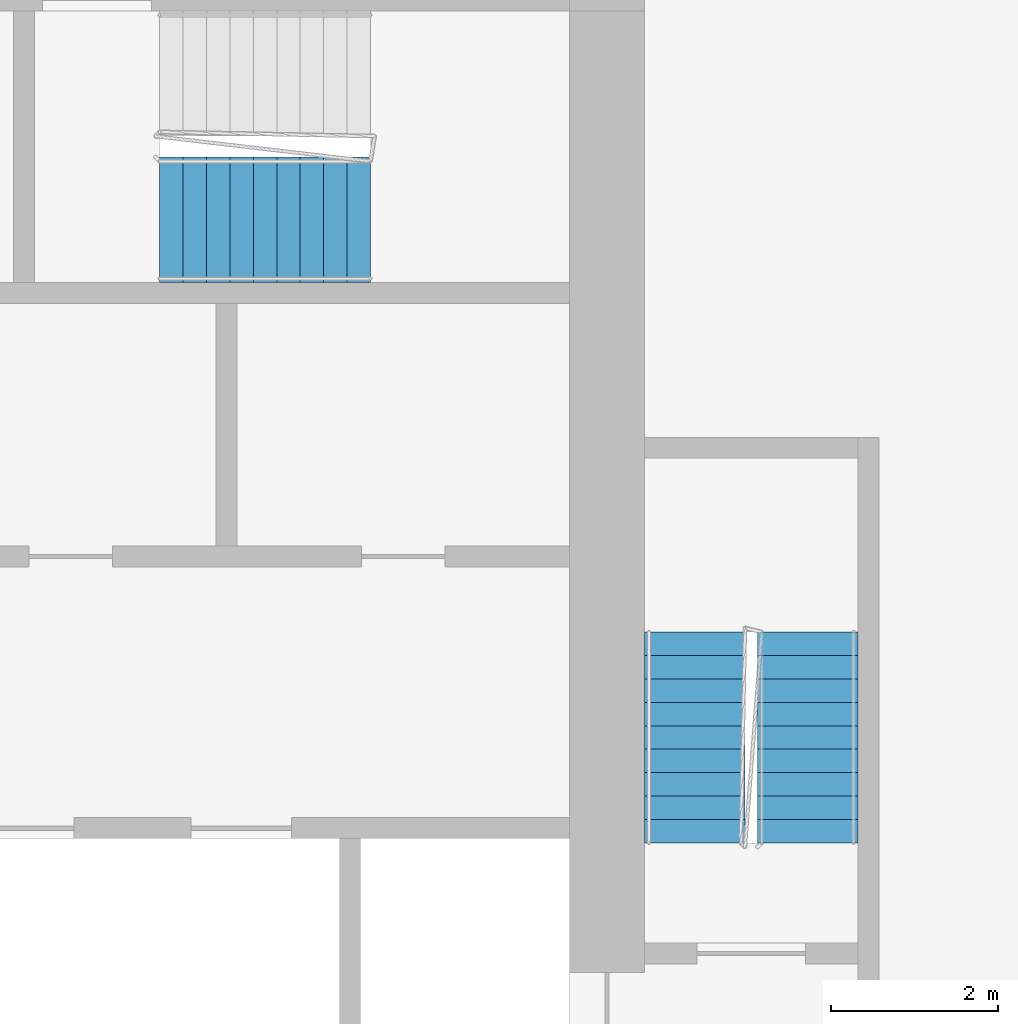
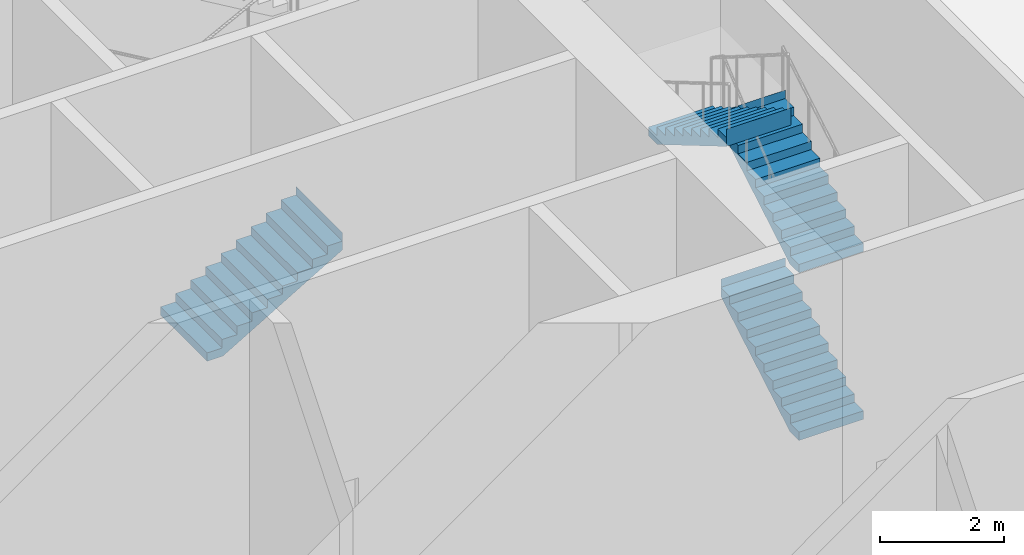
# One storey, part 20 of 24: 4 stair flights, 2 elements without a shape of their own.
"""IFC4 building model written with IfcOpenShell, lengths in metres."""

from ifc_helpers import new_model, si_unit, direction, frame, origin, place, context, subcontext, project, spatial, faceted_brep, material, type_object, element, aggregate, save


model = new_model("IFC4")

# Units and contexts
model_context = context("Model", 3, precision=1e-05, world=origin(), true_north=direction((0.0, 1.0)))
body_context = subcontext(model_context, "Body", "Model", "MODEL_VIEW")
ifc_project = project(units=[si_unit("LENGTHUNIT", "METRE"), si_unit("AREAUNIT", "SQUARE_METRE"), si_unit("VOLUMEUNIT", "CUBIC_METRE"), si_unit("PLANEANGLEUNIT", "RADIAN"), si_unit("MASSUNIT", "GRAM", prefix="KILO")], contexts=[model_context])

# Site, building, storey
site_placement = place(None, origin())
site = spatial("IfcSite", under=ifc_project, at=site_placement, CompositionType="ELEMENT")
building_placement = place(site_placement, origin())
building = spatial("IfcBuilding", under=site, at=building_placement, Name="Kajstack Hotel Tower", CompositionType="ELEMENT")
storey_placement = place(building_placement, frame((0.0, 0.0, 211.10009765625)))
storey = spatial("IfcBuildingStorey", under=building, at=storey_placement, Name="L51", CompositionType="ELEMENT", Elevation=211.10009765625)

# Stair, stair flights
ifc_material = material(Name="Concrete C40/50", Category="concrete")
stair_type_1 = type_object("IfcStairType", Name="Exit stair 1200", PredefinedType="HALF_TURN_STAIR", material=ifc_material)
stair_1_placement = place(storey_placement, origin())
stair_1 = element("IfcStair", 1, at=stair_1_placement, inside=storey, type_object=stair_type_1, Name="L51 stair E1", PredefinedType="HALF_TURN_STAIR")
stair_flight_type_1 = type_object("IfcStairFlightType", Name="Exit stair flight 1200", PredefinedType="STRAIGHT", material=ifc_material)
stair_flight_1_placement = place(storey_placement, frame((33.449951171875, 5.25, 0.0), z_axis=(0.0, 0.0, 1.0), x_axis=(0.0, 1.0, 0.0)))
stair_flight_1 = element("IfcStairFlight", 2, at=stair_flight_1_placement, type_object=stair_flight_type_1, Name="E1 flight 1", NumberOfRisers=10, NumberOfTreads=9, PredefinedType="STRAIGHT", RiserHeight=0.165, TreadLength=0.28, context=body_context, shape_type="Brep", body=[
    faceted_brep([(0.295654296875, -0.60009765625, 0.0), (2.5205078125, -0.60009765625, 1.31103515625), (2.5205078125, -0.60009765625, 1.64990234375), (2.52001953125, -0.60009765625, 1.64990234375), (2.52001953125, -0.60009765625, 1.485107421875), (2.239990234375, -0.60009765625, 1.485107421875), (2.239990234375, -0.60009765625, 1.320068359375), (1.9599609375, -0.60009765625, 1.320068359375), (1.9599609375, -0.60009765625, 1.155029296875), (1.679931640625, -0.60009765625, 1.155029296875), (1.679931640625, -0.60009765625, 0.989990234375), (1.39990234375, -0.60009765625, 0.989990234375), (1.39990234375, -0.60009765625, 0.824951171875), (1.1201171875, -0.60009765625, 0.824951171875), (1.1201171875, -0.60009765625, 0.659912109375), (0.840087890625, -0.60009765625, 0.659912109375), (0.840087890625, -0.60009765625, 0.4951171875), (0.56005859375, -0.60009765625, 0.4951171875), (0.56005859375, -0.60009765625, 0.330078125), (0.280029296875, -0.60009765625, 0.330078125), (0.280029296875, -0.60009765625, 0.1650390625), (-0.00048828125, -0.60009765625, 0.1650390625), (-0.00048828125, -0.60009765625, 0.0), (-0.00048828125, 0.60009765625, 0.0), (-0.00048828125, 0.60009765625, 0.1650390625), (0.280029296875, 0.60009765625, 0.1650390625), (0.280029296875, 0.60009765625, 0.330078125), (0.56005859375, 0.60009765625, 0.330078125), (0.56005859375, 0.60009765625, 0.4951171875), (0.840087890625, 0.60009765625, 0.4951171875), (0.840087890625, 0.60009765625, 0.659912109375), (1.1201171875, 0.60009765625, 0.659912109375), (1.1201171875, 0.60009765625, 0.824951171875), (1.39990234375, 0.60009765625, 0.824951171875), (1.39990234375, 0.60009765625, 0.989990234375), (1.679931640625, 0.60009765625, 0.989990234375), (1.679931640625, 0.60009765625, 1.155029296875), (1.9599609375, 0.60009765625, 1.155029296875), (1.9599609375, 0.60009765625, 1.320068359375), (2.239990234375, 0.60009765625, 1.320068359375), (2.239990234375, 0.60009765625, 1.485107421875), (2.52001953125, 0.60009765625, 1.485107421875), (2.52001953125, 0.60009765625, 1.64990234375), (2.5205078125, 0.60009765625, 1.64990234375), (2.5205078125, 0.60009765625, 1.31103515625), (0.295654296875, 0.60009765625, 0.0), (-0.00048828125, -0.300048828125, 0.1650390625), (-0.00048828125, 0.0, 0.1650390625), (-0.00048828125, 0.300048828125, 0.1650390625), (-0.00048828125, 0.300048828125, 0.0), (-0.00048828125, 0.0, 0.0), (-0.00048828125, -0.300048828125, 0.0), (0.280029296875, -0.300048828125, 0.1650390625), (0.280029296875, 0.0, 0.1650390625), (0.280029296875, 0.300048828125, 0.1650390625), (0.280029296875, -0.300048828125, 0.330078125), (0.280029296875, 0.0, 0.330078125), (0.280029296875, 0.300048828125, 0.330078125), (0.56005859375, -0.300048828125, 0.330078125), (0.56005859375, 0.0, 0.330078125), (0.56005859375, 0.300048828125, 0.330078125), (0.56005859375, -0.300048828125, 0.4951171875), (0.56005859375, 0.0, 0.4951171875), (0.56005859375, 0.300048828125, 0.4951171875), (0.840087890625, -0.300048828125, 0.4951171875), (0.840087890625, 0.0, 0.4951171875), (0.840087890625, 0.300048828125, 0.4951171875), (0.840087890625, -0.300048828125, 0.659912109375), (0.840087890625, 0.0, 0.659912109375), (0.840087890625, 0.300048828125, 0.659912109375), (1.1201171875, -0.300048828125, 0.659912109375), (1.1201171875, 0.0, 0.659912109375), (1.1201171875, 0.300048828125, 0.659912109375), (1.1201171875, -0.300048828125, 0.824951171875), (1.1201171875, 0.0, 0.824951171875), (1.1201171875, 0.300048828125, 0.824951171875), (1.39990234375, -0.300048828125, 0.824951171875), (1.39990234375, 0.0, 0.824951171875), (1.39990234375, 0.300048828125, 0.824951171875), (1.39990234375, -0.300048828125, 0.989990234375), (1.39990234375, 0.0, 0.989990234375), (1.39990234375, 0.300048828125, 0.989990234375), (1.679931640625, -0.300048828125, 0.989990234375), (1.679931640625, 0.0, 0.989990234375), (1.679931640625, 0.300048828125, 0.989990234375), (1.679931640625, -0.300048828125, 1.155029296875), (1.679931640625, 0.0, 1.155029296875), (1.679931640625, 0.300048828125, 1.155029296875), (1.9599609375, -0.300048828125, 1.155029296875), (1.9599609375, 0.0, 1.155029296875), (1.9599609375, 0.300048828125, 1.155029296875), (1.9599609375, -0.300048828125, 1.320068359375), (1.9599609375, 0.0, 1.320068359375), (1.9599609375, 0.300048828125, 1.320068359375), (2.239990234375, -0.300048828125, 1.320068359375), (2.239990234375, 0.0, 1.320068359375), (2.239990234375, 0.300048828125, 1.320068359375), (2.239990234375, -0.300048828125, 1.485107421875), (2.239990234375, 0.0, 1.485107421875), (2.239990234375, 0.300048828125, 1.485107421875), (2.52001953125, -0.300048828125, 1.485107421875), (2.52001953125, 0.0, 1.485107421875), (2.52001953125, 0.300048828125, 1.485107421875), (2.52001953125, -0.300048828125, 1.64990234375), (2.52001953125, 0.0, 1.64990234375), (2.52001953125, 0.300048828125, 1.64990234375), (2.5205078125, -0.300048828125, 1.64990234375), (2.5205078125, 0.0, 1.64990234375), (2.5205078125, 0.300048828125, 1.64990234375), (2.5205078125, -0.300048828125, 1.31103515625), (2.5205078125, 0.0, 1.31103515625), (2.5205078125, 0.300048828125, 1.31103515625), (0.295654296875, -0.300048828125, 0.0), (0.295654296875, 0.0, 0.0), (0.295654296875, 0.300048828125, 0.0)], [[[0, 1, 2, 3, 4, 5, 6, 7, 8, 9, 10, 11, 12, 13, 14, 15, 16, 17, 18, 19, 20, 21, 22]], [[23, 24, 25, 26, 27, 28, 29, 30, 31, 32, 33, 34, 35, 36, 37, 38, 39, 40, 41, 42, 43, 44, 45]], [[21, 46, 47, 48, 24, 23, 49, 50, 51, 22]], [[20, 52, 53, 54, 25, 24, 48, 47, 46, 21]], [[19, 55, 56, 57, 26, 25, 54, 53, 52, 20]], [[18, 58, 59, 60, 27, 26, 57, 56, 55, 19]], [[17, 61, 62, 63, 28, 27, 60, 59, 58, 18]], [[16, 64, 65, 66, 29, 28, 63, 62, 61, 17]], [[15, 67, 68, 69, 30, 29, 66, 65, 64, 16]], [[14, 70, 71, 72, 31, 30, 69, 68, 67, 15]], [[13, 73, 74, 75, 32, 31, 72, 71, 70, 14]], [[12, 76, 77, 78, 33, 32, 75, 74, 73, 13]], [[11, 79, 80, 81, 34, 33, 78, 77, 76, 12]], [[10, 82, 83, 84, 35, 34, 81, 80, 79, 11]], [[9, 85, 86, 87, 36, 35, 84, 83, 82, 10]], [[8, 88, 89, 90, 37, 36, 87, 86, 85, 9]], [[7, 91, 92, 93, 38, 37, 90, 89, 88, 8]], [[6, 94, 95, 96, 39, 38, 93, 92, 91, 7]], [[5, 97, 98, 99, 40, 39, 96, 95, 94, 6]], [[4, 100, 101, 102, 41, 40, 99, 98, 97, 5]], [[3, 103, 104, 105, 42, 41, 102, 101, 100, 4]], [[2, 106, 107, 108, 43, 42, 105, 104, 103, 3]], [[1, 109, 110, 111, 44, 43, 108, 107, 106, 2]], [[0, 112, 113, 114, 45, 44, 111, 110, 109, 1]], [[22, 51, 50, 49, 23, 45, 114, 113, 112, 0]]]),
])
stair_flight_2_placement = place(storey_placement, frame((33.449951171875, 5.25, 3.2998046875), z_axis=(0.0, 0.0, 1.0), x_axis=(0.0, 1.0, 0.0)))
stair_flight_2 = element("IfcStairFlight", 3, at=stair_flight_2_placement, type_object=stair_flight_type_1, Name="E1 flight 3", NumberOfRisers=10, NumberOfTreads=9, PredefinedType="STRAIGHT", RiserHeight=0.165, TreadLength=0.28, context=body_context, shape_type="Brep", body=[
    faceted_brep([(0.295654296875, -0.60009765625, 0.0), (2.5205078125, -0.60009765625, 1.31103515625), (2.5205078125, -0.60009765625, 1.64990234375), (2.52001953125, -0.60009765625, 1.64990234375), (2.52001953125, -0.60009765625, 1.485107421875), (2.239990234375, -0.60009765625, 1.485107421875), (2.239990234375, -0.60009765625, 1.320068359375), (1.9599609375, -0.60009765625, 1.320068359375), (1.9599609375, -0.60009765625, 1.155029296875), (1.679931640625, -0.60009765625, 1.155029296875), (1.679931640625, -0.60009765625, 0.989990234375), (1.39990234375, -0.60009765625, 0.989990234375), (1.39990234375, -0.60009765625, 0.824951171875), (1.1201171875, -0.60009765625, 0.824951171875), (1.1201171875, -0.60009765625, 0.659912109375), (0.840087890625, -0.60009765625, 0.659912109375), (0.840087890625, -0.60009765625, 0.4951171875), (0.56005859375, -0.60009765625, 0.4951171875), (0.56005859375, -0.60009765625, 0.330078125), (0.280029296875, -0.60009765625, 0.330078125), (0.280029296875, -0.60009765625, 0.1650390625), (-0.00048828125, -0.60009765625, 0.1650390625), (-0.00048828125, -0.60009765625, 0.0), (-0.00048828125, 0.60009765625, 0.0), (-0.00048828125, 0.60009765625, 0.1650390625), (0.280029296875, 0.60009765625, 0.1650390625), (0.280029296875, 0.60009765625, 0.330078125), (0.56005859375, 0.60009765625, 0.330078125), (0.56005859375, 0.60009765625, 0.4951171875), (0.840087890625, 0.60009765625, 0.4951171875), (0.840087890625, 0.60009765625, 0.659912109375), (1.1201171875, 0.60009765625, 0.659912109375), (1.1201171875, 0.60009765625, 0.824951171875), (1.39990234375, 0.60009765625, 0.824951171875), (1.39990234375, 0.60009765625, 0.989990234375), (1.679931640625, 0.60009765625, 0.989990234375), (1.679931640625, 0.60009765625, 1.155029296875), (1.9599609375, 0.60009765625, 1.155029296875), (1.9599609375, 0.60009765625, 1.320068359375), (2.239990234375, 0.60009765625, 1.320068359375), (2.239990234375, 0.60009765625, 1.485107421875), (2.52001953125, 0.60009765625, 1.485107421875), (2.52001953125, 0.60009765625, 1.64990234375), (2.5205078125, 0.60009765625, 1.64990234375), (2.5205078125, 0.60009765625, 1.31103515625), (0.295654296875, 0.60009765625, 0.0), (-0.00048828125, -0.300048828125, 0.1650390625), (-0.00048828125, 0.0, 0.1650390625), (-0.00048828125, 0.300048828125, 0.1650390625), (-0.00048828125, 0.300048828125, 0.0), (-0.00048828125, 0.0, 0.0), (-0.00048828125, -0.300048828125, 0.0), (0.280029296875, -0.300048828125, 0.1650390625), (0.280029296875, 0.0, 0.1650390625), (0.280029296875, 0.300048828125, 0.1650390625), (0.280029296875, -0.300048828125, 0.330078125), (0.280029296875, 0.0, 0.330078125), (0.280029296875, 0.300048828125, 0.330078125), (0.56005859375, -0.300048828125, 0.330078125), (0.56005859375, 0.0, 0.330078125), (0.56005859375, 0.300048828125, 0.330078125), (0.56005859375, -0.300048828125, 0.4951171875), (0.56005859375, 0.0, 0.4951171875), (0.56005859375, 0.300048828125, 0.4951171875), (0.840087890625, -0.300048828125, 0.4951171875), (0.840087890625, 0.0, 0.4951171875), (0.840087890625, 0.300048828125, 0.4951171875), (0.840087890625, -0.300048828125, 0.659912109375), (0.840087890625, 0.0, 0.659912109375), (0.840087890625, 0.300048828125, 0.659912109375), (1.1201171875, -0.300048828125, 0.659912109375), (1.1201171875, 0.0, 0.659912109375), (1.1201171875, 0.300048828125, 0.659912109375), (1.1201171875, -0.300048828125, 0.824951171875), (1.1201171875, 0.0, 0.824951171875), (1.1201171875, 0.300048828125, 0.824951171875), (1.39990234375, -0.300048828125, 0.824951171875), (1.39990234375, 0.0, 0.824951171875), (1.39990234375, 0.300048828125, 0.824951171875), (1.39990234375, -0.300048828125, 0.989990234375), (1.39990234375, 0.0, 0.989990234375), (1.39990234375, 0.300048828125, 0.989990234375), (1.679931640625, -0.300048828125, 0.989990234375), (1.679931640625, 0.0, 0.989990234375), (1.679931640625, 0.300048828125, 0.989990234375), (1.679931640625, -0.300048828125, 1.155029296875), (1.679931640625, 0.0, 1.155029296875), (1.679931640625, 0.300048828125, 1.155029296875), (1.9599609375, -0.300048828125, 1.155029296875), (1.9599609375, 0.0, 1.155029296875), (1.9599609375, 0.300048828125, 1.155029296875), (1.9599609375, -0.300048828125, 1.320068359375), (1.9599609375, 0.0, 1.320068359375), (1.9599609375, 0.300048828125, 1.320068359375), (2.239990234375, -0.300048828125, 1.320068359375), (2.239990234375, 0.0, 1.320068359375), (2.239990234375, 0.300048828125, 1.320068359375), (2.239990234375, -0.300048828125, 1.485107421875), (2.239990234375, 0.0, 1.485107421875), (2.239990234375, 0.300048828125, 1.485107421875), (2.52001953125, -0.300048828125, 1.485107421875), (2.52001953125, 0.0, 1.485107421875), (2.52001953125, 0.300048828125, 1.485107421875), (2.52001953125, -0.300048828125, 1.64990234375), (2.52001953125, 0.0, 1.64990234375), (2.52001953125, 0.300048828125, 1.64990234375), (2.5205078125, -0.300048828125, 1.64990234375), (2.5205078125, 0.0, 1.64990234375), (2.5205078125, 0.300048828125, 1.64990234375), (2.5205078125, -0.300048828125, 1.31103515625), (2.5205078125, 0.0, 1.31103515625), (2.5205078125, 0.300048828125, 1.31103515625), (0.295654296875, -0.300048828125, 0.0), (0.295654296875, 0.0, 0.0), (0.295654296875, 0.300048828125, 0.0)], [[[0, 1, 2, 3, 4, 5, 6, 7, 8, 9, 10, 11, 12, 13, 14, 15, 16, 17, 18, 19, 20, 21, 22]], [[23, 24, 25, 26, 27, 28, 29, 30, 31, 32, 33, 34, 35, 36, 37, 38, 39, 40, 41, 42, 43, 44, 45]], [[21, 46, 47, 48, 24, 23, 49, 50, 51, 22]], [[20, 52, 53, 54, 25, 24, 48, 47, 46, 21]], [[19, 55, 56, 57, 26, 25, 54, 53, 52, 20]], [[18, 58, 59, 60, 27, 26, 57, 56, 55, 19]], [[17, 61, 62, 63, 28, 27, 60, 59, 58, 18]], [[16, 64, 65, 66, 29, 28, 63, 62, 61, 17]], [[15, 67, 68, 69, 30, 29, 66, 65, 64, 16]], [[14, 70, 71, 72, 31, 30, 69, 68, 67, 15]], [[13, 73, 74, 75, 32, 31, 72, 71, 70, 14]], [[12, 76, 77, 78, 33, 32, 75, 74, 73, 13]], [[11, 79, 80, 81, 34, 33, 78, 77, 76, 12]], [[10, 82, 83, 84, 35, 34, 81, 80, 79, 11]], [[9, 85, 86, 87, 36, 35, 84, 83, 82, 10]], [[8, 88, 89, 90, 37, 36, 87, 86, 85, 9]], [[7, 91, 92, 93, 38, 37, 90, 89, 88, 8]], [[6, 94, 95, 96, 39, 38, 93, 92, 91, 7]], [[5, 97, 98, 99, 40, 39, 96, 95, 94, 6]], [[4, 100, 101, 102, 41, 40, 99, 98, 97, 5]], [[3, 103, 104, 105, 42, 41, 102, 101, 100, 4]], [[2, 106, 107, 108, 43, 42, 105, 104, 103, 3]], [[1, 109, 110, 111, 44, 43, 108, 107, 106, 2]], [[0, 112, 113, 114, 45, 44, 111, 110, 109, 1]], [[22, 51, 50, 49, 23, 45, 114, 113, 112, 0]]]),
])
stair_flight_3_placement = place(storey_placement, frame((32.10009765625, 7.77001953125, 4.949951171875), z_axis=(0.0, 0.0, 1.0), x_axis=(0.0, -1.0, 0.0)))
stair_flight_3 = element("IfcStairFlight", 4, at=stair_flight_3_placement, type_object=stair_flight_type_1, Name="E1 flight 4", NumberOfRisers=10, NumberOfTreads=9, PredefinedType="STRAIGHT", RiserHeight=0.165, TreadLength=0.28, context=body_context, shape_type="Brep", body=[
    faceted_brep([(0.295654296875, -0.60009765625, 0.0), (2.5205078125, -0.60009765625, 1.31103515625), (2.5205078125, -0.60009765625, 1.64990234375), (2.52001953125, -0.60009765625, 1.64990234375), (2.52001953125, -0.60009765625, 1.485107421875), (2.239990234375, -0.60009765625, 1.485107421875), (2.239990234375, -0.60009765625, 1.320068359375), (1.9599609375, -0.60009765625, 1.320068359375), (1.9599609375, -0.60009765625, 1.155029296875), (1.679931640625, -0.60009765625, 1.155029296875), (1.679931640625, -0.60009765625, 0.989990234375), (1.39990234375, -0.60009765625, 0.989990234375), (1.39990234375, -0.60009765625, 0.824951171875), (1.1201171875, -0.60009765625, 0.824951171875), (1.1201171875, -0.60009765625, 0.659912109375), (0.840087890625, -0.60009765625, 0.659912109375), (0.840087890625, -0.60009765625, 0.4951171875), (0.56005859375, -0.60009765625, 0.4951171875), (0.56005859375, -0.60009765625, 0.330078125), (0.280029296875, -0.60009765625, 0.330078125), (0.280029296875, -0.60009765625, 0.1650390625), (-0.00048828125, -0.60009765625, 0.1650390625), (-0.00048828125, -0.60009765625, 0.0), (-0.00048828125, 0.60009765625, 0.0), (-0.00048828125, 0.60009765625, 0.1650390625), (0.280029296875, 0.60009765625, 0.1650390625), (0.280029296875, 0.60009765625, 0.330078125), (0.56005859375, 0.60009765625, 0.330078125), (0.56005859375, 0.60009765625, 0.4951171875), (0.840087890625, 0.60009765625, 0.4951171875), (0.840087890625, 0.60009765625, 0.659912109375), (1.1201171875, 0.60009765625, 0.659912109375), (1.1201171875, 0.60009765625, 0.824951171875), (1.39990234375, 0.60009765625, 0.824951171875), (1.39990234375, 0.60009765625, 0.989990234375), (1.679931640625, 0.60009765625, 0.989990234375), (1.679931640625, 0.60009765625, 1.155029296875), (1.9599609375, 0.60009765625, 1.155029296875), (1.9599609375, 0.60009765625, 1.320068359375), (2.239990234375, 0.60009765625, 1.320068359375), (2.239990234375, 0.60009765625, 1.485107421875), (2.52001953125, 0.60009765625, 1.485107421875), (2.52001953125, 0.60009765625, 1.64990234375), (2.5205078125, 0.60009765625, 1.64990234375), (2.5205078125, 0.60009765625, 1.31103515625), (0.295654296875, 0.60009765625, 0.0), (-0.00048828125, -0.300048828125, 0.1650390625), (-0.00048828125, 0.0, 0.1650390625), (-0.00048828125, 0.300048828125, 0.1650390625), (-0.00048828125, 0.300048828125, 0.0), (-0.00048828125, 0.0, 0.0), (-0.00048828125, -0.300048828125, 0.0), (0.280029296875, -0.300048828125, 0.1650390625), (0.280029296875, 0.0, 0.1650390625), (0.280029296875, 0.300048828125, 0.1650390625), (0.280029296875, -0.300048828125, 0.330078125), (0.280029296875, 0.0, 0.330078125), (0.280029296875, 0.300048828125, 0.330078125), (0.56005859375, -0.300048828125, 0.330078125), (0.56005859375, 0.0, 0.330078125), (0.56005859375, 0.300048828125, 0.330078125), (0.56005859375, -0.300048828125, 0.4951171875), (0.56005859375, 0.0, 0.4951171875), (0.56005859375, 0.300048828125, 0.4951171875), (0.840087890625, -0.300048828125, 0.4951171875), (0.840087890625, 0.0, 0.4951171875), (0.840087890625, 0.300048828125, 0.4951171875), (0.840087890625, -0.300048828125, 0.659912109375), (0.840087890625, 0.0, 0.659912109375), (0.840087890625, 0.300048828125, 0.659912109375), (1.1201171875, -0.300048828125, 0.659912109375), (1.1201171875, 0.0, 0.659912109375), (1.1201171875, 0.300048828125, 0.659912109375), (1.1201171875, -0.300048828125, 0.824951171875), (1.1201171875, 0.0, 0.824951171875), (1.1201171875, 0.300048828125, 0.824951171875), (1.39990234375, -0.300048828125, 0.824951171875), (1.39990234375, 0.0, 0.824951171875), (1.39990234375, 0.300048828125, 0.824951171875), (1.39990234375, -0.300048828125, 0.989990234375), (1.39990234375, 0.0, 0.989990234375), (1.39990234375, 0.300048828125, 0.989990234375), (1.679931640625, -0.300048828125, 0.989990234375), (1.679931640625, 0.0, 0.989990234375), (1.679931640625, 0.300048828125, 0.989990234375), (1.679931640625, -0.300048828125, 1.155029296875), (1.679931640625, 0.0, 1.155029296875), (1.679931640625, 0.300048828125, 1.155029296875), (1.9599609375, -0.300048828125, 1.155029296875), (1.9599609375, 0.0, 1.155029296875), (1.9599609375, 0.300048828125, 1.155029296875), (1.9599609375, -0.300048828125, 1.320068359375), (1.9599609375, 0.0, 1.320068359375), (1.9599609375, 0.300048828125, 1.320068359375), (2.239990234375, -0.300048828125, 1.320068359375), (2.239990234375, 0.0, 1.320068359375), (2.239990234375, 0.300048828125, 1.320068359375), (2.239990234375, -0.300048828125, 1.485107421875), (2.239990234375, 0.0, 1.485107421875), (2.239990234375, 0.300048828125, 1.485107421875), (2.52001953125, -0.300048828125, 1.485107421875), (2.52001953125, 0.0, 1.485107421875), (2.52001953125, 0.300048828125, 1.485107421875), (2.52001953125, -0.300048828125, 1.64990234375), (2.52001953125, 0.0, 1.64990234375), (2.52001953125, 0.300048828125, 1.64990234375), (2.5205078125, -0.300048828125, 1.64990234375), (2.5205078125, 0.0, 1.64990234375), (2.5205078125, 0.300048828125, 1.64990234375), (2.5205078125, -0.300048828125, 1.31103515625), (2.5205078125, 0.0, 1.31103515625), (2.5205078125, 0.300048828125, 1.31103515625), (0.295654296875, -0.300048828125, 0.0), (0.295654296875, 0.0, 0.0), (0.295654296875, 0.300048828125, 0.0)], [[[0, 1, 2, 3, 4, 5, 6, 7, 8, 9, 10, 11, 12, 13, 14, 15, 16, 17, 18, 19, 20, 21, 22]], [[23, 24, 25, 26, 27, 28, 29, 30, 31, 32, 33, 34, 35, 36, 37, 38, 39, 40, 41, 42, 43, 44, 45]], [[21, 46, 47, 48, 24, 23, 49, 50, 51, 22]], [[20, 52, 53, 54, 25, 24, 48, 47, 46, 21]], [[19, 55, 56, 57, 26, 25, 54, 53, 52, 20]], [[18, 58, 59, 60, 27, 26, 57, 56, 55, 19]], [[17, 61, 62, 63, 28, 27, 60, 59, 58, 18]], [[16, 64, 65, 66, 29, 28, 63, 62, 61, 17]], [[15, 67, 68, 69, 30, 29, 66, 65, 64, 16]], [[14, 70, 71, 72, 31, 30, 69, 68, 67, 15]], [[13, 73, 74, 75, 32, 31, 72, 71, 70, 14]], [[12, 76, 77, 78, 33, 32, 75, 74, 73, 13]], [[11, 79, 80, 81, 34, 33, 78, 77, 76, 12]], [[10, 82, 83, 84, 35, 34, 81, 80, 79, 11]], [[9, 85, 86, 87, 36, 35, 84, 83, 82, 10]], [[8, 88, 89, 90, 37, 36, 87, 86, 85, 9]], [[7, 91, 92, 93, 38, 37, 90, 89, 88, 8]], [[6, 94, 95, 96, 39, 38, 93, 92, 91, 7]], [[5, 97, 98, 99, 40, 39, 96, 95, 94, 6]], [[4, 100, 101, 102, 41, 40, 99, 98, 97, 5]], [[3, 103, 104, 105, 42, 41, 102, 101, 100, 4]], [[2, 106, 107, 108, 43, 42, 105, 104, 103, 3]], [[1, 109, 110, 111, 44, 43, 108, 107, 106, 2]], [[0, 112, 113, 114, 45, 44, 111, 110, 109, 1]], [[22, 51, 50, 49, 23, 45, 114, 113, 112, 0]]]),
])
aggregate(stair_1, [stair_flight_1, stair_flight_2, stair_flight_3])

# Stair, stair flight
stair_type_2 = type_object("IfcStairType", Name="Exit stair 1500", PredefinedType="HALF_TURN_STAIR", material=ifc_material)
stair_2_placement = place(storey_placement, origin())
stair_2 = element("IfcStair", 5, at=stair_2_placement, inside=storey, type_object=stair_type_2, Name="L51 stair E3", PredefinedType="HALF_TURN_STAIR")
stair_flight_type_2 = type_object("IfcStairFlightType", Name="Exit stair flight 1500", PredefinedType="STRAIGHT", material=ifc_material)
stair_flight_4_placement = place(storey_placement, frame((25.699951171875, 12.699951171875, 0.0), z_axis=(0.0, 0.0, 1.0), x_axis=(1.0, 0.0, 0.0)))
stair_flight_4 = element("IfcStairFlight", 6, at=stair_flight_4_placement, type_object=stair_flight_type_2, Name="E3 flight 1", NumberOfRisers=10, NumberOfTreads=9, PredefinedType="STRAIGHT", RiserHeight=0.165, TreadLength=0.28, context=body_context, shape_type="Brep", body=[
    faceted_brep([(0.295654296875, -0.75, 0.0), (2.5205078125, -0.75, 1.31103515625), (2.5205078125, -0.75, 1.64990234375), (2.52001953125, -0.75, 1.64990234375), (2.52001953125, -0.75, 1.485107421875), (2.239990234375, -0.75, 1.485107421875), (2.239990234375, -0.75, 1.320068359375), (1.9599609375, -0.75, 1.320068359375), (1.9599609375, -0.75, 1.155029296875), (1.679931640625, -0.75, 1.155029296875), (1.679931640625, -0.75, 0.989990234375), (1.39990234375, -0.75, 0.989990234375), (1.39990234375, -0.75, 0.824951171875), (1.1201171875, -0.75, 0.824951171875), (1.1201171875, -0.75, 0.659912109375), (0.840087890625, -0.75, 0.659912109375), (0.840087890625, -0.75, 0.4951171875), (0.56005859375, -0.75, 0.4951171875), (0.56005859375, -0.75, 0.330078125), (0.280029296875, -0.75, 0.330078125), (0.280029296875, -0.75, 0.1650390625), (-0.00048828125, -0.75, 0.1650390625), (-0.00048828125, -0.75, 0.0), (-0.00048828125, 0.75, 0.0), (-0.00048828125, 0.75, 0.1650390625), (0.280029296875, 0.75, 0.1650390625), (0.280029296875, 0.75, 0.330078125), (0.56005859375, 0.75, 0.330078125), (0.56005859375, 0.75, 0.4951171875), (0.840087890625, 0.75, 0.4951171875), (0.840087890625, 0.75, 0.659912109375), (1.1201171875, 0.75, 0.659912109375), (1.1201171875, 0.75, 0.824951171875), (1.39990234375, 0.75, 0.824951171875), (1.39990234375, 0.75, 0.989990234375), (1.679931640625, 0.75, 0.989990234375), (1.679931640625, 0.75, 1.155029296875), (1.9599609375, 0.75, 1.155029296875), (1.9599609375, 0.75, 1.320068359375), (2.239990234375, 0.75, 1.320068359375), (2.239990234375, 0.75, 1.485107421875), (2.52001953125, 0.75, 1.485107421875), (2.52001953125, 0.75, 1.64990234375), (2.5205078125, 0.75, 1.64990234375), (2.5205078125, 0.75, 1.31103515625), (0.295654296875, 0.75, 0.0), (-0.00048828125, -0.375, 0.1650390625), (-0.00048828125, 0.0, 0.1650390625), (-0.00048828125, 0.375, 0.1650390625), (-0.00048828125, 0.375, 0.0), (-0.00048828125, 0.0, 0.0), (-0.00048828125, -0.375, 0.0), (0.280029296875, -0.375, 0.1650390625), (0.280029296875, 0.0, 0.1650390625), (0.280029296875, 0.375, 0.1650390625), (0.280029296875, -0.375, 0.330078125), (0.280029296875, 0.0, 0.330078125), (0.280029296875, 0.375, 0.330078125), (0.56005859375, -0.375, 0.330078125), (0.56005859375, 0.0, 0.330078125), (0.56005859375, 0.375, 0.330078125), (0.56005859375, -0.375, 0.4951171875), (0.56005859375, 0.0, 0.4951171875), (0.56005859375, 0.375, 0.4951171875), (0.840087890625, -0.375, 0.4951171875), (0.840087890625, 0.0, 0.4951171875), (0.840087890625, 0.375, 0.4951171875), (0.840087890625, -0.375, 0.659912109375), (0.840087890625, 0.0, 0.659912109375), (0.840087890625, 0.375, 0.659912109375), (1.1201171875, -0.375, 0.659912109375), (1.1201171875, 0.0, 0.659912109375), (1.1201171875, 0.375, 0.659912109375), (1.1201171875, -0.375, 0.824951171875), (1.1201171875, 0.0, 0.824951171875), (1.1201171875, 0.375, 0.824951171875), (1.39990234375, -0.375, 0.824951171875), (1.39990234375, 0.0, 0.824951171875), (1.39990234375, 0.375, 0.824951171875), (1.39990234375, -0.375, 0.989990234375), (1.39990234375, 0.0, 0.989990234375), (1.39990234375, 0.375, 0.989990234375), (1.679931640625, -0.375, 0.989990234375), (1.679931640625, 0.0, 0.989990234375), (1.679931640625, 0.375, 0.989990234375), (1.679931640625, -0.375, 1.155029296875), (1.679931640625, 0.0, 1.155029296875), (1.679931640625, 0.375, 1.155029296875), (1.9599609375, -0.375, 1.155029296875), (1.9599609375, 0.0, 1.155029296875), (1.9599609375, 0.375, 1.155029296875), (1.9599609375, -0.375, 1.320068359375), (1.9599609375, 0.0, 1.320068359375), (1.9599609375, 0.375, 1.320068359375), (2.239990234375, -0.375, 1.320068359375), (2.239990234375, 0.0, 1.320068359375), (2.239990234375, 0.375, 1.320068359375), (2.239990234375, -0.375, 1.485107421875), (2.239990234375, 0.0, 1.485107421875), (2.239990234375, 0.375, 1.485107421875), (2.52001953125, -0.375, 1.485107421875), (2.52001953125, 0.0, 1.485107421875), (2.52001953125, 0.375, 1.485107421875), (2.52001953125, -0.375, 1.64990234375), (2.52001953125, 0.0, 1.64990234375), (2.52001953125, 0.375, 1.64990234375), (2.5205078125, -0.375, 1.64990234375), (2.5205078125, 0.0, 1.64990234375), (2.5205078125, 0.375, 1.64990234375), (2.5205078125, -0.375, 1.31103515625), (2.5205078125, 0.0, 1.31103515625), (2.5205078125, 0.375, 1.31103515625), (0.295654296875, -0.375, 0.0), (0.295654296875, 0.0, 0.0), (0.295654296875, 0.375, 0.0)], [[[0, 1, 2, 3, 4, 5, 6, 7, 8, 9, 10, 11, 12, 13, 14, 15, 16, 17, 18, 19, 20, 21, 22]], [[23, 24, 25, 26, 27, 28, 29, 30, 31, 32, 33, 34, 35, 36, 37, 38, 39, 40, 41, 42, 43, 44, 45]], [[21, 46, 47, 48, 24, 23, 49, 50, 51, 22]], [[20, 52, 53, 54, 25, 24, 48, 47, 46, 21]], [[19, 55, 56, 57, 26, 25, 54, 53, 52, 20]], [[18, 58, 59, 60, 27, 26, 57, 56, 55, 19]], [[17, 61, 62, 63, 28, 27, 60, 59, 58, 18]], [[16, 64, 65, 66, 29, 28, 63, 62, 61, 17]], [[15, 67, 68, 69, 30, 29, 66, 65, 64, 16]], [[14, 70, 71, 72, 31, 30, 69, 68, 67, 15]], [[13, 73, 74, 75, 32, 31, 72, 71, 70, 14]], [[12, 76, 77, 78, 33, 32, 75, 74, 73, 13]], [[11, 79, 80, 81, 34, 33, 78, 77, 76, 12]], [[10, 82, 83, 84, 35, 34, 81, 80, 79, 11]], [[9, 85, 86, 87, 36, 35, 84, 83, 82, 10]], [[8, 88, 89, 90, 37, 36, 87, 86, 85, 9]], [[7, 91, 92, 93, 38, 37, 90, 89, 88, 8]], [[6, 94, 95, 96, 39, 38, 93, 92, 91, 7]], [[5, 97, 98, 99, 40, 39, 96, 95, 94, 6]], [[4, 100, 101, 102, 41, 40, 99, 98, 97, 5]], [[3, 103, 104, 105, 42, 41, 102, 101, 100, 4]], [[2, 106, 107, 108, 43, 42, 105, 104, 103, 3]], [[1, 109, 110, 111, 44, 43, 108, 107, 106, 2]], [[0, 112, 113, 114, 45, 44, 111, 110, 109, 1]], [[22, 51, 50, 49, 23, 45, 114, 113, 112, 0]]]),
])
aggregate(stair_2, [stair_flight_4])

save(model, "model.ifc")
